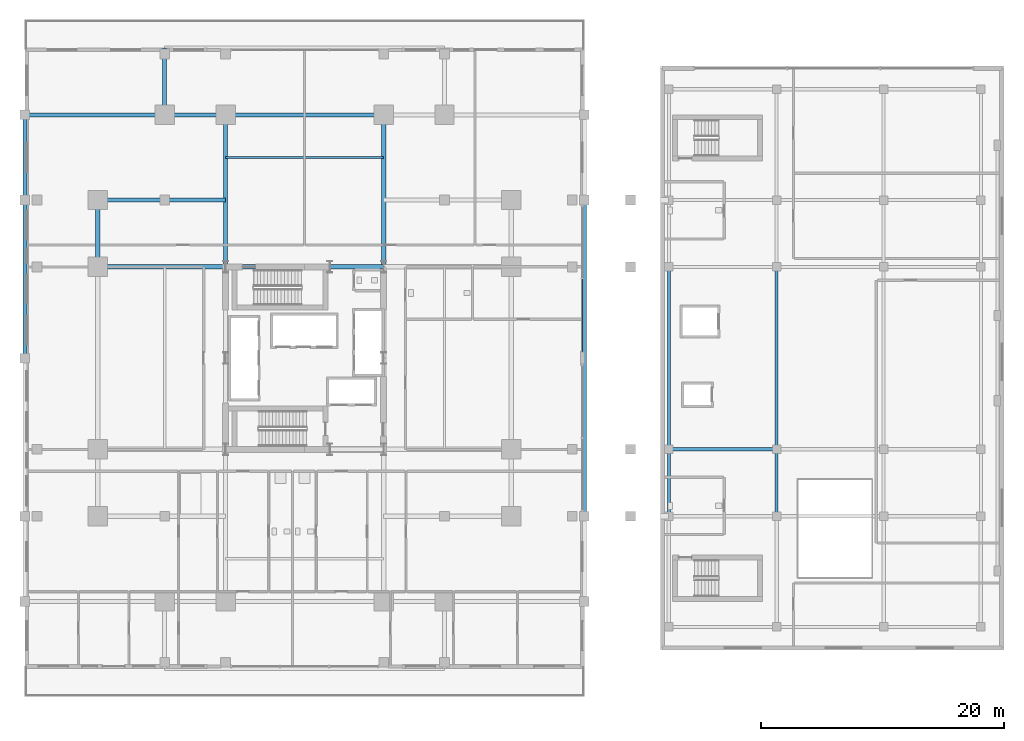
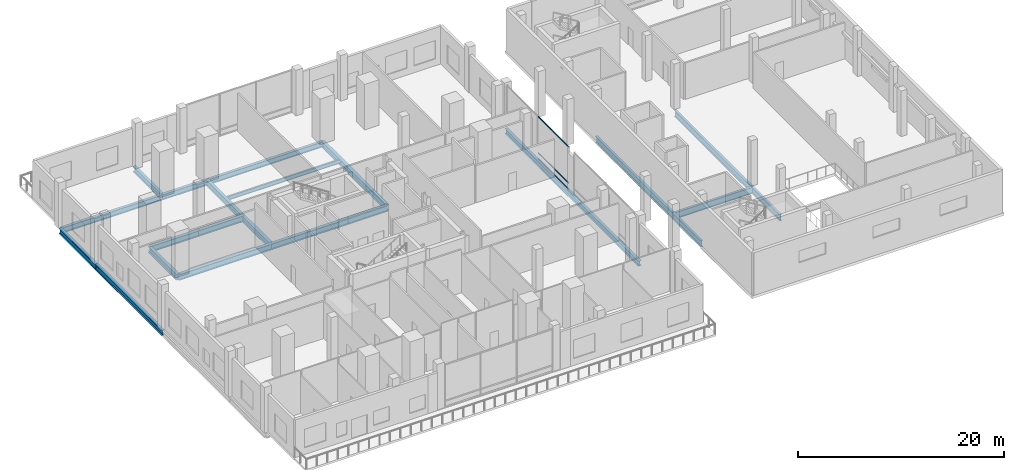
# One storey, part 10 of 32: 21 beams, 3 members, 1 element without a shape of its own.
"""IFC4 building model written with IfcOpenShell, lengths in metres."""

from ifc_helpers import new_model, si_unit, direction, frame, origin, origin_2d, place, context, subcontext, project, spatial, hollow_rectangle, i_section, extrude, material, layer, layer_set, material_profile, profile_set, type_object, element, aggregate, save


model = new_model("IFC4")

# Units and contexts
model_context = context("Model", 3, precision=1e-05, world=origin(), true_north=direction((0.0, 1.0)))
body_context = subcontext(model_context, "Body", "Model", "MODEL_VIEW")
ifc_project = project(units=[si_unit("LENGTHUNIT", "METRE"), si_unit("AREAUNIT", "SQUARE_METRE"), si_unit("VOLUMEUNIT", "CUBIC_METRE"), si_unit("PLANEANGLEUNIT", "RADIAN"), si_unit("MASSUNIT", "GRAM", prefix="KILO")], contexts=[model_context])

# Site, building, storey
site_placement = place(None, origin())
site = spatial("IfcSite", under=ifc_project, at=site_placement, CompositionType="ELEMENT")
building_placement = place(site_placement, origin())
building = spatial("IfcBuilding", under=site, at=building_placement, Name="Barlavira Tower and Art Museum", CompositionType="ELEMENT")
storey_placement = place(building_placement, frame((0.0, 0.0, 6.0)))
storey = spatial("IfcBuildingStorey", under=building, at=storey_placement, Name="L01", CompositionType="ELEMENT", Elevation=6.0)

# Curtain wall, members
ifc_material_1 = material(Name="Low-iron coastal laminated glass", Category="glass")
ifc_layer = layer(ifc_material_1, 0.219970703125, Name="Low-iron coastal laminated glass")
ifc_layer_set = layer_set([ifc_layer], Name="Low-iron coastal laminated glass")
curtain_wall_type = type_object("IfcCurtainWallType", Name="Double-Height Podium Arcade Storefront Curtain Wall", PredefinedType="NOTDEFINED", material=ifc_layer_set)
curtain_wall_placement = place(storey_placement, origin())
curtain_wall = element("IfcCurtainWall", 1, at=curtain_wall_placement, inside=storey, type_object=curtain_wall_type, Name="L01 Curtain Wall CW5-L01-EN", PredefinedType="NOTDEFINED")
ifc_material_2 = material(Name="Pale anodised aluminium", Category="aluminium")
ifc_material_profile_1 = material_profile(ifc_material_2, hollow_rectangle(XDim=0.06494140625, YDim=0.139892578125, WallThickness=0.00390625, at=origin_2d()), Name="ALU-TRAN 65x140x4")
ifc_profile_set_1 = profile_set([ifc_material_profile_1], Name="Pale anodised aluminium")
member_type = type_object("IfcMemberType", Name="Curtain Wall Pale-Metal Transom 65x140", PredefinedType="USERDEFINED", material=ifc_profile_set_1)
member_1_placement = place(storey_placement, frame((22.85009765625, 0.544921875, 0.070068359375), z_axis=(0.0, 1.0, 0.0), x_axis=(-1.0, 0.0, 0.0)))
member_1 = element("IfcMember", 2, at=member_1_placement, type_object=member_type, Name="CW5-L01-EN Transom 0.1", ObjectType="TRANSOM", PredefinedType="USERDEFINED", context=body_context, shape_type="SweptSolid", body=[
    extrude(hollow_rectangle(XDim=0.06494140625, YDim=0.139892578125, WallThickness=0.00390625, at=origin_2d()), origin(), (0.0, 0.0, 1.0), 5.9501953125),
])
member_2_placement = place(storey_placement, frame((22.85009765625, 0.544921875, 0.75), z_axis=(0.0, 1.0, 0.0), x_axis=(-1.0, 0.0, 0.0)))
member_2 = element("IfcMember", 3, at=member_2_placement, type_object=member_type, Name="CW5-L01-EN Transom 0.2", ObjectType="TRANSOM", PredefinedType="USERDEFINED", context=body_context, shape_type="SweptSolid", body=[
    extrude(hollow_rectangle(XDim=0.06494140625, YDim=0.139892578125, WallThickness=0.00390625, at=origin_2d()), origin(), (0.0, 0.0, 1.0), 5.9501953125),
])
member_3_placement = place(storey_placement, frame((22.85009765625, 0.544921875, 5.050048828125), z_axis=(0.0, 1.0, 0.0), x_axis=(-1.0, 0.0, 0.0)))
member_3 = element("IfcMember", 4, at=member_3_placement, type_object=member_type, Name="CW5-L01-EN Transom 0.3", ObjectType="TRANSOM", PredefinedType="USERDEFINED", context=body_context, shape_type="SweptSolid", body=[
    extrude(hollow_rectangle(XDim=0.06494140625, YDim=0.139892578125, WallThickness=0.00390625, at=origin_2d()), origin(), (0.0, 0.0, 1.0), 5.9501953125),
])
aggregate(curtain_wall, [member_1, member_2, member_3])

# Beams
ifc_material_3 = material(Name="Steel S355", Category="steel")
ifc_material_profile_2 = material_profile(ifc_material_3, i_section(OverallWidth=0.26904296875, OverallDepth=0.76806640625, WebThickness=0.016845703125, FlangeThickness=0.026611328125, at=origin_2d()), Name="W760x220.0")
ifc_profile_set_2 = profile_set([ifc_material_profile_2], Name="Steel S355")
beam_type_1 = type_object("IfcBeamType", Name="Museum Long-Span Gallery Girder W760x220 Steel S355", PredefinedType="BEAM", material=ifc_profile_set_2)
beam_1_placement = place(storey_placement, frame((29.949951171875, -13.0, -0.7041015625), z_axis=(0.0, 1.0, 0.0), x_axis=(-1.0, 0.0, 0.0)))
element("IfcBeam", 5, at=beam_1_placement, inside=storey, type_object=beam_type_1, Name="L01 Museum Girder Y 1-2", PredefinedType="BEAM", context=body_context, shape_type="SweptSolid", body=[
    extrude(i_section(OverallWidth=0.26904296875, OverallDepth=0.76806640625, WebThickness=0.016845703125, FlangeThickness=0.026611328125, at=origin_2d()), origin(), (0.0, 0.0, 1.0), 5.5),
])
beam_2_placement = place(storey_placement, frame((29.949951171875, -7.5, -0.7041015625), z_axis=(0.0, 1.0, 0.0), x_axis=(-1.0, 0.0, 0.0)))
element("IfcBeam", 6, at=beam_2_placement, inside=storey, type_object=beam_type_1, Name="L01 Museum Girder Y 1-3", PredefinedType="BEAM", context=body_context, shape_type="SweptSolid", body=[
    extrude(i_section(OverallWidth=0.26904296875, OverallDepth=0.76806640625, WebThickness=0.016845703125, FlangeThickness=0.026611328125, at=origin_2d()), origin(), (0.0, 0.0, 1.0), 15.0),
])
beam_3_placement = place(storey_placement, frame((38.800048828125, -13.0, -0.7041015625), z_axis=(0.0, 1.0, 0.0), x_axis=(-1.0, 0.0, 0.0)))
element("IfcBeam", 7, at=beam_3_placement, inside=storey, type_object=beam_type_1, Name="L01 Museum Girder Y 2-2", PredefinedType="BEAM", context=body_context, shape_type="SweptSolid", body=[
    extrude(i_section(OverallWidth=0.26904296875, OverallDepth=0.76806640625, WebThickness=0.016845703125, FlangeThickness=0.026611328125, at=origin_2d()), origin(), (0.0, 0.0, 1.0), 5.5),
])
beam_4_placement = place(storey_placement, frame((38.800048828125, -7.5, -0.7041015625), z_axis=(0.0, 1.0, 0.0), x_axis=(-1.0, 0.0, 0.0)))
element("IfcBeam", 8, at=beam_4_placement, inside=storey, type_object=beam_type_1, Name="L01 Museum Girder Y 2-3", PredefinedType="BEAM", context=body_context, shape_type="SweptSolid", body=[
    extrude(i_section(OverallWidth=0.26904296875, OverallDepth=0.76806640625, WebThickness=0.016845703125, FlangeThickness=0.026611328125, at=origin_2d()), origin(), (0.0, 0.0, 1.0), 15.0),
])
beam_5_placement = place(storey_placement, frame((29.949951171875, -7.5, -0.7041015625), z_axis=(1.0, 0.0, 0.0), x_axis=(0.0, 1.0, 0.0)))
element("IfcBeam", 9, at=beam_5_placement, inside=storey, type_object=beam_type_1, Name="L01 Museum Girder X 3-1", PredefinedType="BEAM", context=body_context, shape_type="SweptSolid", body=[
    extrude(i_section(OverallWidth=0.26904296875, OverallDepth=0.76806640625, WebThickness=0.016845703125, FlangeThickness=0.026611328125, at=origin_2d()), origin(), (0.0, 0.0, 1.0), 8.85009765625),
])
ifc_material_profile_3 = material_profile(ifc_material_3, i_section(OverallWidth=0.327880859375, OverallDepth=0.62890625, WebThickness=0.013916015625, FlangeThickness=0.021484375, at=origin_2d()), Name="W610x174.0")
ifc_profile_set_3 = profile_set([ifc_material_profile_3], Name="Steel S355")
beam_type_2 = type_object("IfcBeamType", Name="Perimeter Spandrel Edge Beam W610x174 Steel S355", PredefinedType="SPANDREL", material=ifc_profile_set_3)
beam_6_placement = place(storey_placement, frame((-23.0, 20.0, -0.594482421875), z_axis=(1.0, 0.0, 0.0), x_axis=(0.0, 1.0, 0.0)))
element("IfcBeam", 10, at=beam_6_placement, inside=storey, type_object=beam_type_2, Name="L01 Podium Spandrel PN1", PredefinedType="SPANDREL", context=body_context, shape_type="SweptSolid", body=[
    extrude(i_section(OverallWidth=0.327880859375, OverallDepth=0.62890625, WebThickness=0.013916015625, FlangeThickness=0.021484375, at=origin_2d()), origin(), (0.0, 0.0, 1.0), 11.5),
])
beam_7_placement = place(storey_placement, frame((-11.5, 20.0, -0.594482421875), z_axis=(1.0, 0.0, 0.0), x_axis=(0.0, 1.0, 0.0)))
element("IfcBeam", 11, at=beam_7_placement, inside=storey, type_object=beam_type_2, Name="L01 Podium Spandrel PN2", PredefinedType="SPANDREL", context=body_context, shape_type="SweptSolid", body=[
    extrude(i_section(OverallWidth=0.327880859375, OverallDepth=0.62890625, WebThickness=0.013916015625, FlangeThickness=0.021484375, at=origin_2d()), origin(), (0.0, 0.0, 1.0), 5.0),
])
for number, where, z_axis, x_axis, name in (
    (12, (-6.5, 20.0, -0.594482421875), (1.0, 0.0, 0.0), (0.0, 1.0, 0.0), "L01 Podium Spandrel PN3"),
    (13, (-23.0, 0.0, -0.594482421875), (0.0, 1.0, 0.0), (-1.0, 0.0, 0.0), "L01 Podium Spandrel PW3"),
):
    element("IfcBeam", number, at=place(storey_placement, frame(where, z_axis=z_axis, x_axis=x_axis)), inside=storey, type_object=beam_type_2, Name=name, PredefinedType="SPANDREL", context=body_context, shape_type="SweptSolid", body=[
        extrude(i_section(OverallWidth=0.327880859375, OverallDepth=0.62890625, WebThickness=0.013916015625, FlangeThickness=0.021484375, at=origin_2d()), origin(), (0.0, 0.0, 1.0), 13.0),
    ])
beam_8_placement = place(storey_placement, frame((-23.0, 13.0, -0.594482421875), z_axis=(0.0, 1.0, 0.0), x_axis=(-1.0, 0.0, 0.0)))
element("IfcBeam", 14, at=beam_8_placement, inside=storey, type_object=beam_type_2, Name="L01 Podium Spandrel PW4", PredefinedType="SPANDREL", context=body_context, shape_type="SweptSolid", body=[
    extrude(i_section(OverallWidth=0.327880859375, OverallDepth=0.62890625, WebThickness=0.013916015625, FlangeThickness=0.021484375, at=origin_2d()), origin(), (0.0, 0.0, 1.0), 7.0),
])
beam_9_placement = place(storey_placement, frame((23.0, -13.0, -0.594482421875), z_axis=(0.0, 1.0, 0.0), x_axis=(-1.0, 0.0, 0.0)))
element("IfcBeam", 15, at=beam_9_placement, inside=storey, type_object=beam_type_2, Name="L01 Podium Spandrel PE2", PredefinedType="SPANDREL", context=body_context, shape_type="SweptSolid", body=[
    extrude(i_section(OverallWidth=0.327880859375, OverallDepth=0.62890625, WebThickness=0.013916015625, FlangeThickness=0.021484375, at=origin_2d()), origin(), (0.0, 0.0, 1.0), 26.0),
])
beam_10_placement = place(storey_placement, frame((-11.5, 20.0, -0.594482421875), z_axis=(0.0, 1.0, 0.0), x_axis=(-1.0, 0.0, 0.0)))
element("IfcBeam", 16, at=beam_10_placement, inside=storey, type_object=beam_type_2, Name="L01 NW Cascade Spandrel", PredefinedType="SPANDREL", context=body_context, shape_type="SweptSolid", body=[
    extrude(i_section(OverallWidth=0.327880859375, OverallDepth=0.62890625, WebThickness=0.013916015625, FlangeThickness=0.021484375, at=origin_2d()), origin(), (0.0, 0.0, 1.0), 5.5),
])
ifc_material_profile_4 = material_profile(ifc_material_3, i_section(OverallWidth=0.19189453125, OverallDepth=0.462890625, WebThickness=0.010498046875, FlangeThickness=0.017578125, at=origin_2d()), Name="W460x89.0")
ifc_profile_set_4 = profile_set([ifc_material_profile_4], Name="Steel S355")
beam_type_3 = type_object("IfcBeamType", Name="Podium Floor Joist W460x89 Steel S355", PredefinedType="JOIST", material=ifc_profile_set_4)
beam_11_placement = place(storey_placement, frame((-6.5, 16.5, -0.511474609375), z_axis=(1.0, 0.0, 0.0), x_axis=(0.0, 1.0, 0.0)))
element("IfcBeam", 17, at=beam_11_placement, inside=storey, type_object=beam_type_3, Name="L01 Joist C2", PredefinedType="JOIST", context=body_context, shape_type="SweptSolid", body=[
    extrude(i_section(OverallWidth=0.19189453125, OverallDepth=0.462890625, WebThickness=0.010498046875, FlangeThickness=0.017578125, at=origin_2d()), origin(), (0.0, 0.0, 1.0), 13.0),
])
ifc_material_profile_5 = material_profile(ifc_material_3, i_section(OverallWidth=0.35595703125, OverallDepth=0.695068359375, WebThickness=0.014892578125, FlangeThickness=0.023681640625, at=origin_2d()), Name="W690x192.0")
ifc_profile_set_5 = profile_set([ifc_material_profile_5], Name="Steel S355")
beam_type_4 = type_object("IfcBeamType", Name="Podium Primary Girder W690x192 Steel S355", PredefinedType="BEAM", material=ifc_profile_set_5)
beam_12_placement = place(storey_placement, frame((-6.5, 7.5, -0.62744140625), z_axis=(1.0, 0.0, 0.0), x_axis=(0.0, 1.0, 0.0)))
element("IfcBeam", 18, at=beam_12_placement, inside=storey, type_object=beam_type_4, Name="L01 Girder C-N1", PredefinedType="BEAM", context=body_context, shape_type="SweptSolid", body=[
    extrude(i_section(OverallWidth=0.35595703125, OverallDepth=0.695068359375, WebThickness=0.014892578125, FlangeThickness=0.023681640625, at=origin_2d()), origin(), (0.0, 0.0, 1.0), 8.580078125),
])
beam_13_placement = place(storey_placement, frame((2.080078125, 7.5, -0.62744140625), z_axis=(1.0, 0.0, 0.0), x_axis=(0.0, 1.0, 0.0)))
element("IfcBeam", 19, at=beam_13_placement, inside=storey, type_object=beam_type_4, Name="L01 Girder C-N2", PredefinedType="BEAM", context=body_context, shape_type="SweptSolid", body=[
    extrude(i_section(OverallWidth=0.35595703125, OverallDepth=0.695068359375, WebThickness=0.014892578125, FlangeThickness=0.023681640625, at=origin_2d()), origin(), (0.0, 0.0, 1.0), 4.419921875),
])
beam_14_placement = place(storey_placement, frame((-17.0, 7.5, -0.62744140625), z_axis=(0.0, 1.0, 0.0), x_axis=(-1.0, 0.0, 0.0)))
element("IfcBeam", 20, at=beam_14_placement, inside=storey, type_object=beam_type_4, Name="L01 Girder M-W3", PredefinedType="BEAM", context=body_context, shape_type="SweptSolid", body=[
    extrude(i_section(OverallWidth=0.35595703125, OverallDepth=0.695068359375, WebThickness=0.014892578125, FlangeThickness=0.023681640625, at=origin_2d()), origin(), (0.0, 0.0, 1.0), 5.5),
])
for number, where, z_axis, x_axis, name in (
    (21, (-6.5, 7.5, -0.62744140625), (0.0, 1.0, 0.0), (-1.0, 0.0, 0.0), "L01 Girder R-N1"),
    (22, (6.5, 7.5, -0.62744140625), (0.0, 1.0, 0.0), (-1.0, 0.0, 0.0), "L01 Girder R-N2"),
):
    element("IfcBeam", number, at=place(storey_placement, frame(where, z_axis=z_axis, x_axis=x_axis)), inside=storey, type_object=beam_type_4, Name=name, PredefinedType="BEAM", context=body_context, shape_type="SweptSolid", body=[
        extrude(i_section(OverallWidth=0.35595703125, OverallDepth=0.695068359375, WebThickness=0.014892578125, FlangeThickness=0.023681640625, at=origin_2d()), origin(), (0.0, 0.0, 1.0), 12.5),
    ])
beam_15_placement = place(storey_placement, frame((-17.0, 7.5, -0.62744140625), z_axis=(1.0, 0.0, 0.0), x_axis=(0.0, 1.0, 0.0)))
element("IfcBeam", 23, at=beam_15_placement, inside=storey, type_object=beam_type_4, Name="L01 Girder R-W2", PredefinedType="BEAM", context=body_context, shape_type="SweptSolid", body=[
    extrude(i_section(OverallWidth=0.35595703125, OverallDepth=0.695068359375, WebThickness=0.014892578125, FlangeThickness=0.023681640625, at=origin_2d()), origin(), (0.0, 0.0, 1.0), 10.5),
])
beam_16_placement = place(storey_placement, frame((-17.0, 13.0, -0.62744140625), z_axis=(1.0, 0.0, 0.0), x_axis=(0.0, 1.0, 0.0)))
element("IfcBeam", 24, at=beam_16_placement, inside=storey, type_object=beam_type_4, Name="L01 Girder I-N1", PredefinedType="BEAM", context=body_context, shape_type="SweptSolid", body=[
    extrude(i_section(OverallWidth=0.35595703125, OverallDepth=0.695068359375, WebThickness=0.014892578125, FlangeThickness=0.023681640625, at=origin_2d()), origin(), (0.0, 0.0, 1.0), 5.5),
])
beam_17_placement = place(storey_placement, frame((-11.5, 13.0, -0.62744140625), z_axis=(1.0, 0.0, 0.0), x_axis=(0.0, 1.0, 0.0)))
element("IfcBeam", 25, at=beam_17_placement, inside=storey, type_object=beam_type_4, Name="L01 Girder I-N2", PredefinedType="BEAM", context=body_context, shape_type="SweptSolid", body=[
    extrude(i_section(OverallWidth=0.35595703125, OverallDepth=0.695068359375, WebThickness=0.014892578125, FlangeThickness=0.023681640625, at=origin_2d()), origin(), (0.0, 0.0, 1.0), 5.0),
])

save(model, "model.ifc")
